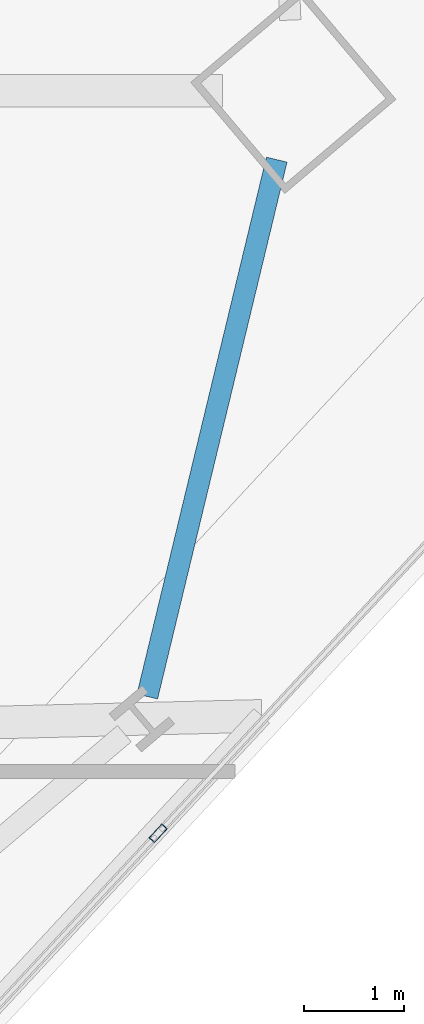
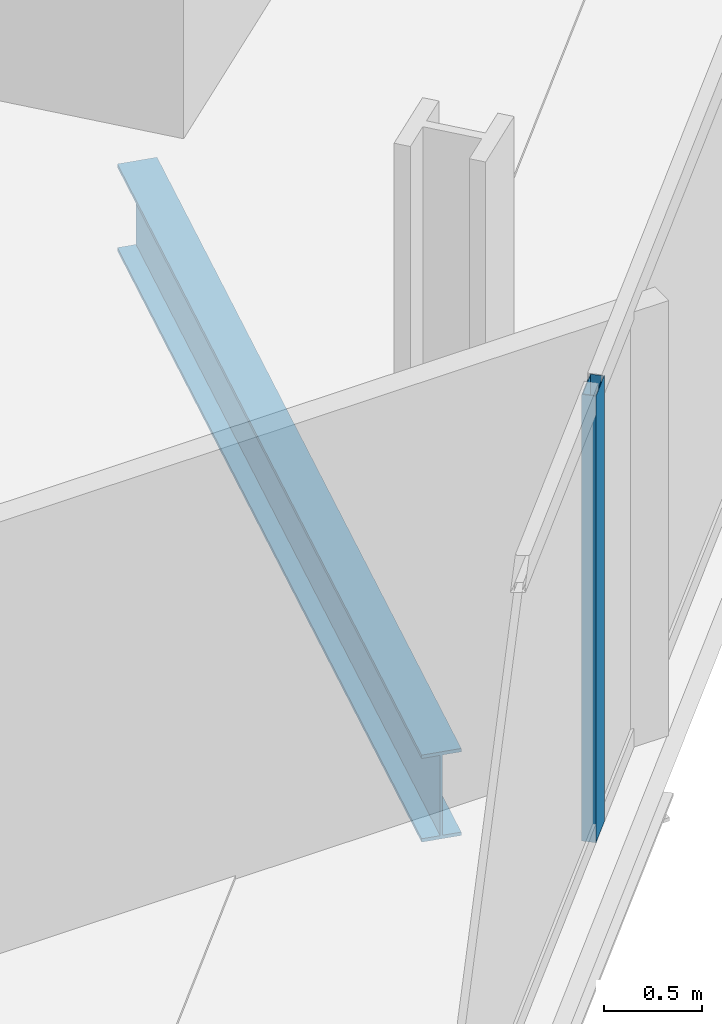
# One storey, part 10 of 32: 1 beam, 1 member, 1 element without a shape of its own.
"""IFC4 building model written with IfcOpenShell, lengths in metres."""

from ifc_helpers import new_model, si_unit, direction, frame, origin, origin_2d, place, context, subcontext, project, spatial, hollow_rectangle, i_section, extrude, material, material_profile, profile_set, type_object, element, aggregate, save


model = new_model("IFC4")

# Units and contexts
model_context = context("Model", 3, precision=1e-05, world=origin(), true_north=direction((0.0, 1.0)))
body_context = subcontext(model_context, "Body", "Model", "MODEL_VIEW")
ifc_project = project(units=[si_unit("LENGTHUNIT", "METRE"), si_unit("AREAUNIT", "SQUARE_METRE"), si_unit("VOLUMEUNIT", "CUBIC_METRE"), si_unit("PLANEANGLEUNIT", "RADIAN"), si_unit("MASSUNIT", "GRAM", prefix="KILO")], contexts=[model_context])

# Site, building, storey
site_placement = place(None, origin())
site = spatial("IfcSite", under=ifc_project, at=site_placement, CompositionType="ELEMENT")
building_placement = place(site_placement, origin())
building = spatial("IfcBuilding", under=site, at=building_placement, Name="Haldenkirk Collegiate Tower", CompositionType="ELEMENT")
storey_placement = place(building_placement, frame((0.0, 0.0, 185.699951171875)))
storey = spatial("IfcBuildingStorey", under=building, at=storey_placement, Name="L46", CompositionType="ELEMENT", Elevation=185.699951171875)

# Beam
ifc_material_1 = material(Name="Steel ASTM A992 Grade 50", Category="steel")
ifc_material_profile_1 = material_profile(ifc_material_1, i_section(OverallWidth=0.2119140625, OverallDepth=0.5439453125, WebThickness=0.01318359375, FlangeThickness=0.021240234375, at=origin_2d()), Name="W21X83")
ifc_profile_set_1 = profile_set([ifc_material_profile_1], Name="Steel ASTM A992 Grade 50")
beam_type = type_object("IfcBeamType", Name="BM-SPANDREL-W21X83", PredefinedType="SPANDREL", material=ifc_profile_set_1)
beam_placement = place(storey_placement, frame((60.010009765625, 18.595458984375, -0.56201171875), z_axis=(0.23444531808, 0.972129308698, 0.0), x_axis=(-0.972129308698, 0.23444531808, 0.0)))
element("IfcBeam", 1, at=beam_placement, inside=storey, type_object=beam_type, Name="L46 perimeter spandrel beam 04", PredefinedType="SPANDREL", context=body_context, shape_type="SweptSolid", body=[
    extrude(i_section(OverallWidth=0.2119140625, OverallDepth=0.5439453125, WebThickness=0.01318359375, FlangeThickness=0.021240234375, at=origin_2d()), origin(), (0.0, 0.0, 1.0), 5.50146484375),
])

# Curtain wall, member
ifc_material_2 = material(Name="Anodised architectural bronze aluminium", Category="aluminium")
curtain_wall_type = type_object("IfcCurtainWallType", Name="CW-SYS2-CONCAVE", PredefinedType="USERDEFINED", material=ifc_material_2)
curtain_wall_placement = place(storey_placement, origin())
curtain_wall = element("IfcCurtainWall", 2, at=curtain_wall_placement, inside=storey, type_object=curtain_wall_type, Name="L46 South concave recessed bronze-anodised curtain wall", ObjectType="UNITISED CURTAIN WALL", PredefinedType="USERDEFINED")
ifc_material_profile_2 = material_profile(ifc_material_2, hollow_rectangle(XDim=0.074951171875, YDim=0.18994140625, WallThickness=0.0048828125, at=origin_2d()), Name="CW-MUL-02")
ifc_profile_set_2 = profile_set([ifc_material_profile_2], Name="Anodised architectural bronze aluminium")
member_type = type_object("IfcMemberType", Name="CW-MUL-02", PredefinedType="MULLION", material=ifc_profile_set_2)
member_placement = place(storey_placement, frame((60.118896484375, 17.232666015625, 0.0), z_axis=(0.0, 0.0, 1.0), x_axis=(0.733137779244, -0.680080139869, 0.0)))
member = element("IfcMember", 3, at=member_placement, type_object=member_type, Name="CW-02 mullion 2", PredefinedType="MULLION", context=body_context, shape_type="SweptSolid", body=[
    extrude(hollow_rectangle(XDim=0.074951171875, YDim=0.18994140625, WallThickness=0.0048828125, at=origin_2d()), origin(), (0.0, 0.0, 1.0), 2.791015625),
])
aggregate(curtain_wall, [member])

save(model, "model.ifc")
